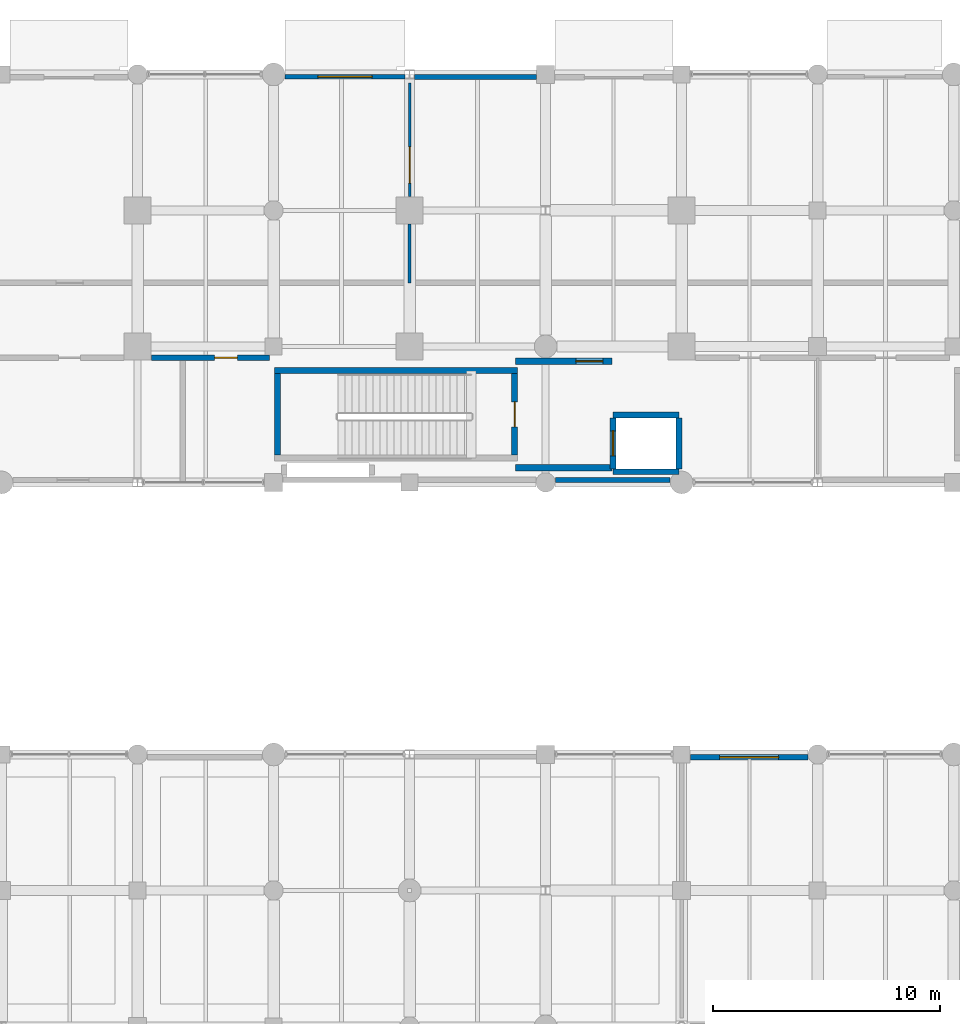
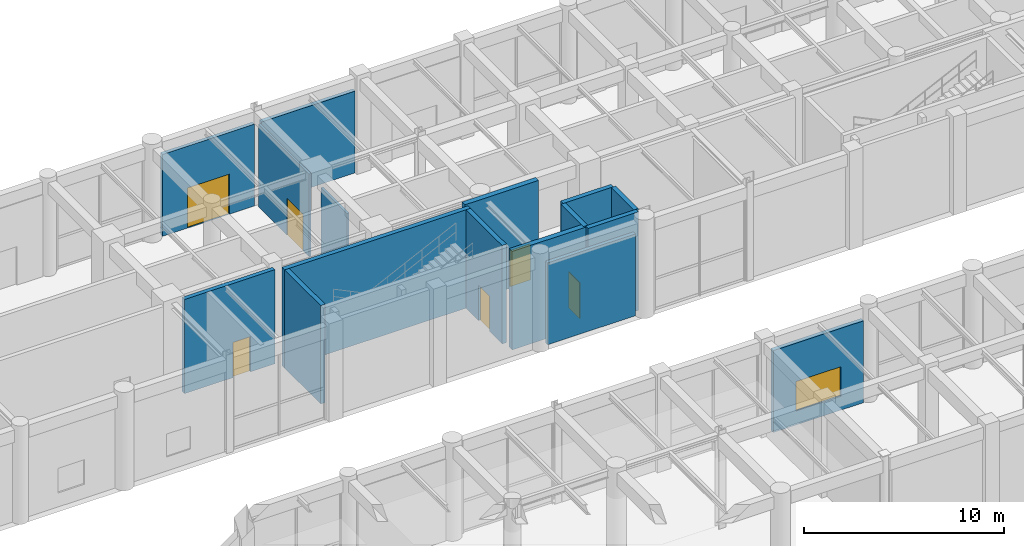
# One storey, part 84 of 106: 16 walls, 6 doors, 1 window, 7 openings.
"""IFC4 building model written with IfcOpenShell, lengths in metres."""

from ifc_helpers import new_model, si_unit, direction, frame, frame_2d, origin, place, context, subcontext, project, spatial, rectangle, extrude, material, layer, layer_set, type_object, element, fill, save


model = new_model("IFC4")

# Units and contexts
model_context = context("Model", 3, precision=1e-05, world=origin(), true_north=direction((0.0, 1.0)))
body_context = subcontext(model_context, "Body", "Model", "MODEL_VIEW")
ifc_project = project(units=[si_unit("LENGTHUNIT", "METRE"), si_unit("AREAUNIT", "SQUARE_METRE"), si_unit("VOLUMEUNIT", "CUBIC_METRE"), si_unit("PLANEANGLEUNIT", "RADIAN"), si_unit("MASSUNIT", "GRAM", prefix="KILO"), si_unit("THERMODYNAMICTEMPERATUREUNIT", "KELVIN"), si_unit("POWERUNIT", "WATT")], contexts=[model_context])

# Site, building, storey
site_placement = place(None, origin())
site = spatial("IfcSite", under=ifc_project, at=site_placement, CompositionType="ELEMENT")
building_placement = place(site_placement, origin())
building = spatial("IfcBuilding", under=site, at=building_placement, Name="Phaisarnlok Congress Hotel", CompositionType="ELEMENT")
storey_placement = place(building_placement, origin())
storey = spatial("IfcBuildingStorey", under=building, at=storey_placement, Name="L00", CompositionType="ELEMENT", Elevation=0.0)

# Wall, opening, door
ifc_material_1 = material(Name="Concrete C40/50", Category="concrete")
ifc_layer_1 = layer(ifc_material_1, 0.2099609375, Name="Concrete C40/50")
ifc_layer_set_1 = layer_set([ifc_layer_1], Name="Concrete C40/50")
wall_type_1 = type_object("IfcWallType", Name="WL-EXT-210", PredefinedType="SOLIDWALL", material=ifc_layer_set_1)
wall_1_placement = place(storey_placement, frame((107.79443359375, 125.89501953125, 0.0), z_axis=(0.0, 0.0, 1.0), x_axis=(-1.0, 0.0, 0.0)))
wall_1 = element("IfcWall", 1, at=wall_1_placement, inside=storey, type_object=wall_type_1, Name="Exterior wall EW-07 (L00)", PredefinedType="SOLIDWALL", context=body_context, shape_type="SweptSolid", body=[
    extrude(rectangle(XDim=5.28955078125, YDim=0.2099609375, at=frame_2d((2.644775390625, 0.0))), origin(), (0.0, 0.0, 1.0), 4.989990234375),
])
opening_1_placement = place(wall_1_placement, frame((1.445068359375, 0.0, 0.0)))
opening_1 = element("IfcOpeningElement", 2, at=opening_1_placement, cuts=wall_1, Name="Opening FE-39", PredefinedType="OPENING", context=body_context, shape_type="SweptSolid", body=[
    extrude(rectangle(XDim=2.39990234375, YDim=2.449951171875, at=frame_2d((1.199951171875, 1.22509765625))), frame((0.0, 0.114990234375, 0.0), z_axis=(0.0, -1.0, 0.0), x_axis=(1.0, 0.0, 0.0)), (0.0, 0.0, 1.0), 0.22998046875),
])
ifc_material_2 = material(Name="Powder-Coated Steel & Laminated Safety Glass", Category="steel")
door_type_1 = type_object("IfcDoorType", Name="DR-ENTR-2400", OperationType="DOUBLE_DOOR_SLIDING", PredefinedType="DOOR", material=ifc_material_2)
door_1_placement = place(opening_1_placement, frame((2.39990234375, 0.0, 0.0), z_axis=(0.0, 0.0, 1.0), x_axis=(-1.0, 0.0, 0.0)))
door_1 = element("IfcDoor", 3, at=door_1_placement, inside=storey, type_object=door_type_1, Name="Ground final exit door FE-39", OperationType="SINGLE_SWING_LEFT", OverallHeight=2.449951171875, OverallWidth=2.39990234375, PredefinedType="DOOR", context=body_context, shape_type="SweptSolid", body=[
    extrude(rectangle(XDim=2.39990234375, YDim=2.449951171875, at=frame_2d((1.199951171875, 1.22509765625))), frame((0.0, 0.02490234375, 0.0), z_axis=(0.0, -1.0, 0.0), x_axis=(1.0, 0.0, 0.0)), (0.0, 0.0, 1.0), 0.050048828125),
])
fill(opening_1, door_1)

# Walls
wall_2_placement = place(storey_placement, frame((114.429931640625, 108.10498046875, 0.0), z_axis=(0.0, 0.0, 1.0), x_axis=(1.0, 0.0, 0.0)))
element("IfcWall", 4, at=wall_2_placement, inside=storey, type_object=wall_type_1, Name="Exterior wall EW-07 (L00)", PredefinedType="SOLIDWALL", context=body_context, shape_type="SweptSolid", body=[
    extrude(rectangle(XDim=5.065185546875, YDim=0.2099609375, at=frame_2d((2.53271484375, 0.0))), origin(), (0.0, 0.0, 1.0), 4.989990234375),
])
ifc_layer_2 = layer(ifc_material_1, 0.22998046875, Name="Concrete C40/50")
ifc_layer_set_2 = layer_set([ifc_layer_2], Name="Concrete C40/50")
wall_type_2 = type_object("IfcWallType", Name="WL-EXT-230", PredefinedType="SOLIDWALL", material=ifc_layer_set_2)
wall_3_placement = place(storey_placement, frame((113.594970703125, 125.885009765625, 0.0), z_axis=(0.0, 0.0, 1.0), x_axis=(-1.0, 0.0, 0.0)))
element("IfcWall", 5, at=wall_3_placement, inside=storey, type_object=wall_type_2, Name="Exterior wall EW-06 (L00)", PredefinedType="SOLIDWALL", context=body_context, shape_type="SweptSolid", body=[
    extrude(rectangle(XDim=5.389404296875, YDim=0.22998046875, at=frame_2d((2.69482421875, 0.0))), origin(), (0.0, 0.0, 1.0), 4.989990234375),
])

# Wall, opening, window
ifc_layer_3 = layer(ifc_material_1, 0.25, Name="Concrete C40/50")
ifc_layer_set_3 = layer_set([ifc_layer_3], Name="Concrete C40/50")
wall_type_3 = type_object("IfcWallType", Name="WL-EXT-250", PredefinedType="SOLIDWALL", material=ifc_layer_set_3)
wall_4_placement = place(storey_placement, frame((125.570068359375, 95.875, 0.0), z_axis=(0.0, 0.0, 1.0), x_axis=(-1.0, 0.0, 0.0)))
wall_4 = element("IfcWall", 6, at=wall_4_placement, inside=storey, type_object=wall_type_3, Name="Exterior wall EW-05 (L00)", PredefinedType="SOLIDWALL", context=body_context, shape_type="SweptSolid", body=[
    extrude(rectangle(XDim=5.190185546875, YDim=0.25, at=frame_2d((2.59521484375, 0.0))), origin(), (0.0, 0.0, 1.0), 4.989990234375),
])
opening_2_placement = place(wall_4_placement, frame((1.294921875, 0.0, 0.85009765625)))
opening_2 = element("IfcOpeningElement", 7, at=opening_2_placement, cuts=wall_4, Name="Opening W-07", PredefinedType="OPENING", context=body_context, shape_type="SweptSolid", body=[
    extrude(rectangle(XDim=2.60009765625, YDim=1.800048828125, at=frame_2d((1.300048828125, 0.89990234375))), frame((0.0, 0.135009765625, 0.0), z_axis=(0.0, -1.0, 0.0), x_axis=(1.0, 0.0, 0.0)), (0.0, 0.0, 1.0), 0.27001953125),
])
ifc_material_3 = material(Name="Thermally Broken Aluminium & Low-E Double Glazing", Category="aluminium")
window_type = type_object("IfcWindowType", Name="WIN-POD-2600", PartitioningType="SINGLE_PANEL", PredefinedType="WINDOW", material=ifc_material_3)
window_placement = place(opening_2_placement, origin())
window = element("IfcWindow", 8, at=window_placement, inside=storey, type_object=window_type, Name="Podium window W-07 (L00)", OverallHeight=1.800048828125, OverallWidth=2.60009765625, PartitioningType="SINGLE_PANEL", PredefinedType="WINDOW", context=body_context, shape_type="SweptSolid", body=[
    extrude(rectangle(XDim=2.60009765625, YDim=1.800048828125, at=frame_2d((1.300048828125, 0.89990234375))), frame((0.0, 0.030029296875, 0.0), z_axis=(0.0, -1.0, 0.0), x_axis=(1.0, 0.0, 0.0)), (0.0, 0.0, 1.0), 0.06005859375),
])
fill(opening_2, window)

# Wall, opening, door
ifc_material_4 = material(Name="Lightweight Metal-Stud Gypsum Partition", Category="gypsum")
ifc_layer_4 = layer(ifc_material_4, 0.1201171875, Name="Lightweight Metal-Stud Gypsum Partition")
ifc_layer_set_4 = layer_set([ifc_layer_4], Name="Lightweight Metal-Stud Gypsum Partition")
wall_type_4 = type_object("IfcWallType", Name="WL-INT-120", PredefinedType="PARTITIONING", material=ifc_layer_set_4)
wall_5_placement = place(storey_placement, frame((108.0, 120.60498046875, 0.0), z_axis=(0.0, 0.0, 1.0), x_axis=(0.0, 1.0, 0.0)))
wall_5 = element("IfcWall", 9, at=wall_5_placement, inside=storey, type_object=wall_type_4, Name="Interior partition wall IW-07 (L00)", PredefinedType="PARTITIONING", context=body_context, shape_type="SweptSolid", body=[
    extrude(rectangle(XDim=5.02490234375, YDim=0.1201171875, at=frame_2d((2.512451171875, 0.0))), origin(), (0.0, 0.0, 1.0), 5.0400390625),
])
opening_3_placement = place(wall_5_placement, frame((0.594970703125, 0.0, 0.0)))
opening_3 = element("IfcOpeningElement", 10, at=opening_3_placement, cuts=wall_5, Name="Opening D-0041", PredefinedType="OPENING", context=body_context, shape_type="SweptSolid", body=[
    extrude(rectangle(XDim=1.60009765625, YDim=2.25, at=frame_2d((0.800048828125, 1.125))), frame((0.0, 0.070068359375, 0.0), z_axis=(0.0, -1.0, 0.0), x_axis=(1.0, 0.0, 0.0)), (0.0, 0.0, 1.0), 0.14013671875),
])
ifc_material_5 = material(Name="Frameless Tempered Acoustic Glass", Category="glass")
door_type_2 = type_object("IfcDoorType", Name="DR-GLZ-1600", OperationType="DOUBLE_DOOR_SINGLE_SWING", PredefinedType="DOOR", material=ifc_material_5)
door_2_placement = place(opening_3_placement, origin())
door_2 = element("IfcDoor", 11, at=door_2_placement, inside=storey, type_object=door_type_2, Name="Interior door D-0041 (L00)", OperationType="DOUBLE_DOOR_SINGLE_SWING", OverallHeight=2.25, OverallWidth=1.60009765625, PredefinedType="DOOR", context=body_context, shape_type="SweptSolid", body=[
    extrude(rectangle(XDim=1.60009765625, YDim=2.25, at=frame_2d((0.800048828125, 1.125))), frame((0.0, 0.02490234375, 0.0), z_axis=(0.0, -1.0, 0.0), x_axis=(1.0, 0.0, 0.0)), (0.0, 0.0, 1.0), 0.050048828125),
])
fill(opening_3, door_2)

# Wall
ifc_material_6 = material(Name="Moisture-Resistant Gypsum Partition", Category="gypsum")
ifc_layer_5 = layer(ifc_material_6, 0.135009765625, Name="Moisture-Resistant Gypsum Partition")
ifc_layer_set_5 = layer_set([ifc_layer_5], Name="Moisture-Resistant Gypsum Partition")
wall_type_5 = type_object("IfcWallType", Name="WL-INT-135", PredefinedType="PARTITIONING", material=ifc_layer_set_5)
wall_6_placement = place(storey_placement, frame((108.0, 116.800048828125, 0.0), z_axis=(0.0, 0.0, 1.0), x_axis=(0.0, 1.0, 0.0)))
element("IfcWall", 12, at=wall_6_placement, inside=storey, type_object=wall_type_5, Name="Interior partition wall IW-06 (L00)", PredefinedType="PARTITIONING", context=body_context, shape_type="SweptSolid", body=[
    extrude(rectangle(XDim=2.594970703125, YDim=0.135009765625, at=frame_2d((1.29736328125, 0.0))), origin(), (0.0, 0.0, 1.0), 4.93994140625),
])

# Wall, opening, door
ifc_layer_6 = layer(ifc_material_1, 0.239990234375, Name="Concrete C40/50")
ifc_layer_set_6 = layer_set([ifc_layer_6], Name="Concrete C40/50")
wall_type_6 = type_object("IfcWallType", Name="WL-INT-240", PredefinedType="PARTITIONING", material=ifc_layer_set_6)
wall_7_placement = place(storey_placement, frame((96.60498046875, 113.5, 0.0), z_axis=(0.0, 0.0, 1.0), x_axis=(1.0, 0.0, 0.0)))
wall_7 = element("IfcWall", 13, at=wall_7_placement, inside=storey, type_object=wall_type_6, Name="Interior partition wall IW-01 (L00)", PredefinedType="PARTITIONING", context=body_context, shape_type="SweptSolid", body=[
    extrude(rectangle(XDim=5.215087890625, YDim=0.239990234375, at=frame_2d((2.607421875, 0.0))), origin(), (0.0, 0.0, 1.0), 5.739990234375),
])
opening_4_placement = place(wall_7_placement, frame((2.794921875, 0.0, 0.0)))
opening_4 = element("IfcOpeningElement", 14, at=opening_4_placement, cuts=wall_7, Name="Opening D-0047", PredefinedType="OPENING", context=body_context, shape_type="SweptSolid", body=[
    extrude(rectangle(XDim=1.0, YDim=2.14990234375, at=frame_2d((0.5, 1.074951171875))), frame((0.0, 0.1298828125, 0.0), z_axis=(0.0, -1.0, 0.0), x_axis=(1.0, 0.0, 0.0)), (0.0, 0.0, 1.0), 0.260009765625),
])
ifc_material_7 = material(Name="Solid-Core Oak Veneer", Category="wood")
door_type_3 = type_object("IfcDoorType", Name="DR-INT-1000", OperationType="NOTDEFINED", PredefinedType="DOOR", material=ifc_material_7)
door_3_placement = place(opening_4_placement, origin())
door_3 = element("IfcDoor", 15, at=door_3_placement, inside=storey, type_object=door_type_3, Name="Interior door D-0047 (L00)", OperationType="SINGLE_SWING_LEFT", OverallHeight=2.14990234375, OverallWidth=1.0, PredefinedType="DOOR", context=body_context, shape_type="SweptSolid", body=[
    extrude(rectangle(XDim=1.0, YDim=2.14990234375, at=frame_2d((0.5, 1.074951171875))), frame((0.0, 0.02490234375, 0.0), z_axis=(0.0, -1.0, 0.0), x_axis=(1.0, 0.0, 0.0)), (0.0, 0.0, 1.0), 0.050048828125),
])
fill(opening_4, door_3)

# Walls
ifc_material_8 = material(Name="Concrete C50/60", Category="concrete")
ifc_layer_7 = layer(ifc_material_8, 0.260009765625, Name="Concrete C50/60")
ifc_layer_set_7 = layer_set([ifc_layer_7], Name="Concrete C50/60")
wall_type_7 = type_object("IfcWallType", Name="WL-SHR-260", PredefinedType="SHEAR", material=ifc_layer_set_7)
wall_8_placement = place(storey_placement, frame((102.0400390625, 112.929931640625, 0.0), z_axis=(0.0, 0.0, 1.0), x_axis=(1.0, 0.0, 0.0)))
element("IfcWall", 16, at=wall_8_placement, inside=storey, type_object=wall_type_7, Name="Stair shaft shear wall SW-04 (CORE-4 L00)", PredefinedType="SHEAR", context=body_context, shape_type="SweptSolid", body=[
    extrude(rectangle(XDim=10.719970703125, YDim=0.260009765625, at=frame_2d((5.35986328125, 0.0))), origin(), (0.0, 0.0, 1.0), 6.0),
])
wall_9_placement = place(storey_placement, frame((102.169921875, 109.199951171875, 0.0), z_axis=(0.0, 0.0, 1.0), x_axis=(0.0, 1.0, 0.0)))
element("IfcWall", 17, at=wall_9_placement, inside=storey, type_object=wall_type_7, Name="Stair shaft shear wall SW-04 (CORE-4 L00)", PredefinedType="SHEAR", context=body_context, shape_type="SweptSolid", body=[
    extrude(rectangle(XDim=3.60009765625, YDim=0.260009765625, at=frame_2d((1.800048828125, 0.0))), origin(), (0.0, 0.0, 1.0), 6.0),
])

# Wall, opening, door
wall_10_placement = place(storey_placement, frame((112.6298828125, 109.199951171875, 0.0), z_axis=(0.0, 0.0, 1.0), x_axis=(0.0, 1.0, 0.0)))
wall_10 = element("IfcWall", 18, at=wall_10_placement, inside=storey, type_object=wall_type_7, Name="Stair shaft shear wall SW-04 (CORE-4 L00)", PredefinedType="SHEAR", context=body_context, shape_type="SweptSolid", body=[
    extrude(rectangle(XDim=3.60009765625, YDim=0.260009765625, at=frame_2d((1.800048828125, 0.0))), origin(), (0.0, 0.0, 1.0), 6.0),
])
opening_5_placement = place(wall_10_placement, frame((1.25, 0.0, 0.0)))
opening_5 = element("IfcOpeningElement", 19, at=opening_5_placement, cuts=wall_10, Name="Opening FD-092", PredefinedType="OPENING", context=body_context, shape_type="SweptSolid", body=[
    extrude(rectangle(XDim=1.10009765625, YDim=2.14990234375, at=frame_2d((0.550048828125, 1.074951171875))), frame((0.0, 0.14013671875, 0.0), z_axis=(0.0, -1.0, 0.0), x_axis=(1.0, 0.0, 0.0)), (0.0, 0.0, 1.0), 0.280029296875),
])
ifc_material_9 = material(Name="Fire-Rated Steel Frame & Timber Leaf", Category="steel")
door_type_4 = type_object("IfcDoorType", Name="DR-FD60-1100", OperationType="NOTDEFINED", PredefinedType="DOOR", material=ifc_material_9)
door_4_placement = place(opening_5_placement, origin())
door_4 = element("IfcDoor", 20, at=door_4_placement, inside=storey, type_object=door_type_4, Name="Stair enclosure fire door FD-092 (L00)", OperationType="SINGLE_SWING_LEFT", OverallHeight=2.14990234375, OverallWidth=1.10009765625, PredefinedType="DOOR", context=body_context, shape_type="SweptSolid", body=[
    extrude(rectangle(XDim=1.10009765625, YDim=2.14990234375, at=frame_2d((0.550048828125, 1.074951171875))), frame((0.0, 0.02490234375, 0.0), z_axis=(0.0, -1.0, 0.0), x_axis=(1.0, 0.0, 0.0)), (0.0, 0.0, 1.0), 0.050048828125),
])
fill(opening_5, door_4)

# Walls
for number, where, z_axis, x_axis, name in (
    (21, (116.969970703125, 108.469970703125, 0.0), (0.0, 0.0, 1.0), (1.0, 0.0, 0.0), "Lift shaft shear wall SW-04 (LF-HP4 L00)"),
    (22, (116.969970703125, 110.97998046875, 0.0), (0.0, 0.0, 1.0), (1.0, 0.0, 0.0), "Lift shaft shear wall SW-04 (LF-HP4 L00)"),
):
    element("IfcWall", number, at=place(storey_placement, frame(where, z_axis=z_axis, x_axis=x_axis)), inside=storey, type_object=wall_type_7, Name=name, PredefinedType="SHEAR", context=body_context, shape_type="SweptSolid", body=[
        extrude(rectangle(XDim=2.909912109375, YDim=0.260009765625, at=frame_2d((1.455078125, 0.0))), origin(), (0.0, 0.0, 1.0), 6.0),
    ])
wall_11_placement = place(storey_placement, frame((119.8798828125, 108.60009765625, 0.0), z_axis=(0.0, 0.0, 1.0), x_axis=(0.0, 1.0, 0.0)))
element("IfcWall", 23, at=wall_11_placement, inside=storey, type_object=wall_type_7, Name="Lift shaft shear wall SW-04 (LF-HP4 L00)", PredefinedType="SHEAR", context=body_context, shape_type="SweptSolid", body=[
    extrude(rectangle(XDim=2.25, YDim=0.260009765625, at=frame_2d((1.125, 0.0))), origin(), (0.0, 0.0, 1.0), 6.0),
])

# Wall, opening, door
wall_12_placement = place(storey_placement, frame((116.969970703125, 108.60009765625, 0.0), z_axis=(0.0, 0.0, 1.0), x_axis=(0.0, 1.0, 0.0)))
wall_12 = element("IfcWall", 24, at=wall_12_placement, inside=storey, type_object=wall_type_7, Name="Lift shaft front wall SW-04 (LF-HP4 L00)", PredefinedType="SHEAR", context=body_context, shape_type="SweptSolid", body=[
    extrude(rectangle(XDim=2.25, YDim=0.260009765625, at=frame_2d((1.125, 0.0))), origin(), (0.0, 0.0, 1.0), 6.0),
])
opening_6_placement = place(wall_12_placement, frame((0.574951171875, 0.0, 0.0)))
opening_6 = element("IfcOpeningElement", 25, at=opening_6_placement, cuts=wall_12, Name="Opening LD-092", PredefinedType="OPENING", context=body_context, shape_type="SweptSolid", body=[
    extrude(rectangle(XDim=1.10009765625, YDim=2.199951171875, at=frame_2d((0.550048828125, 1.10009765625))), frame((0.0, 0.14013671875, 0.0), z_axis=(0.0, -1.0, 0.0), x_axis=(1.0, 0.0, 0.0)), (0.0, 0.0, 1.0), 0.280029296875),
])
ifc_material_10 = material(Name="Brushed Stainless Steel Grade 304", Category="steel")
door_type_5 = type_object("IfcDoorType", Name="DR-LD-1100", OperationType="DOUBLE_DOOR_SLIDING", PredefinedType="DOOR", material=ifc_material_10)
door_5_placement = place(opening_6_placement, origin())
door_5 = element("IfcDoor", 26, at=door_5_placement, inside=storey, type_object=door_type_5, Name="Lift landing sliding door LD-092 (LF-HP4 L00)", OperationType="DOUBLE_DOOR_SLIDING", OverallHeight=2.199951171875, OverallWidth=1.10009765625, PredefinedType="DOOR", context=body_context, shape_type="SweptSolid", body=[
    extrude(rectangle(XDim=1.10009765625, YDim=2.199951171875, at=frame_2d((0.550048828125, 1.10009765625))), frame((0.0, 0.02490234375, 0.0), z_axis=(0.0, -1.0, 0.0), x_axis=(1.0, 0.0, 0.0)), (0.0, 0.0, 1.0), 0.050048828125),
])
fill(opening_6, door_5)

ifc_layer_8 = layer(ifc_material_8, 0.300048828125, Name="Concrete C50/60")
ifc_layer_set_8 = layer_set([ifc_layer_8], Name="Concrete C50/60")
wall_type_8 = type_object("IfcWallType", Name="WL-SHR-300", PredefinedType="SHEAR", material=ifc_layer_set_8)
wall_13_placement = place(storey_placement, frame((112.679931640625, 113.35009765625, 0.0), z_axis=(0.0, 0.0, 1.0), x_axis=(1.0, 0.0, 0.0)))
wall_13 = element("IfcWall", 27, at=wall_13_placement, inside=storey, type_object=wall_type_8, Name="Core lobby EI-120 wall SW-03 (CORE-4 L00)", PredefinedType="SHEAR", context=body_context, shape_type="SweptSolid", body=[
    extrude(rectangle(XDim=4.239990234375, YDim=0.300048828125, at=frame_2d((2.1201171875, 0.0))), origin(), (0.0, 0.0, 1.0), 6.0),
])
opening_7_placement = place(wall_13_placement, frame((2.64990234375, 0.0, 0.0)))
opening_7 = element("IfcOpeningElement", 28, at=opening_7_placement, cuts=wall_13, Name="Opening FD-107", PredefinedType="OPENING", context=body_context, shape_type="SweptSolid", body=[
    extrude(rectangle(XDim=1.199951171875, YDim=2.199951171875, at=frame_2d((0.60009765625, 1.10009765625))), frame((0.0, 0.16015625, 0.0), z_axis=(0.0, -1.0, 0.0), x_axis=(1.0, 0.0, 0.0)), (0.0, 0.0, 1.0), 0.320068359375),
])
door_type_6 = type_object("IfcDoorType", Name="DR-FD60-1200", OperationType="NOTDEFINED", PredefinedType="DOOR", material=ifc_material_9)
door_6_placement = place(opening_7_placement, origin())
door_6 = element("IfcDoor", 29, at=door_6_placement, inside=storey, type_object=door_type_6, Name="Firefighting lobby entrance door FD-107 (CORE-4 L00)", OperationType="SINGLE_SWING_RIGHT", OverallHeight=2.199951171875, OverallWidth=1.199951171875, PredefinedType="DOOR", context=body_context, shape_type="SweptSolid", body=[
    extrude(rectangle(XDim=1.199951171875, YDim=2.199951171875, at=frame_2d((0.60009765625, 1.10009765625))), frame((0.0, 0.02490234375, 0.0), z_axis=(0.0, -1.0, 0.0), x_axis=(1.0, 0.0, 0.0)), (0.0, 0.0, 1.0), 0.050048828125),
])
fill(opening_7, door_6)

# Wall
wall_14_placement = place(storey_placement, frame((112.679931640625, 108.64990234375, 0.0), z_axis=(0.0, 0.0, 1.0), x_axis=(1.0, 0.0, 0.0)))
element("IfcWall", 30, at=wall_14_placement, inside=storey, type_object=wall_type_8, Name="Core lobby EI-120 wall SW-03 (CORE-4 L00)", PredefinedType="SHEAR", context=body_context, shape_type="SweptSolid", body=[
    extrude(rectangle(XDim=4.239990234375, YDim=0.300048828125, at=frame_2d((2.1201171875, 0.0))), origin(), (0.0, 0.0, 1.0), 6.0),
])

save(model, "model.ifc")
